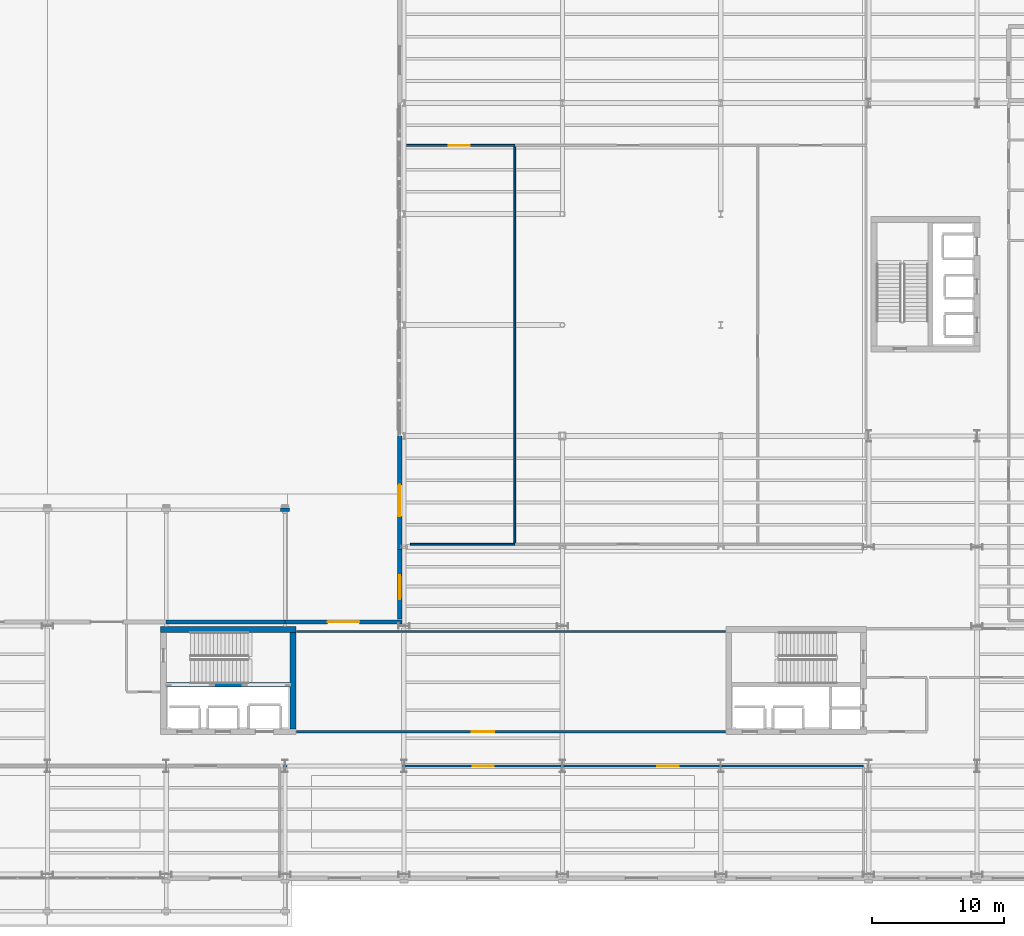
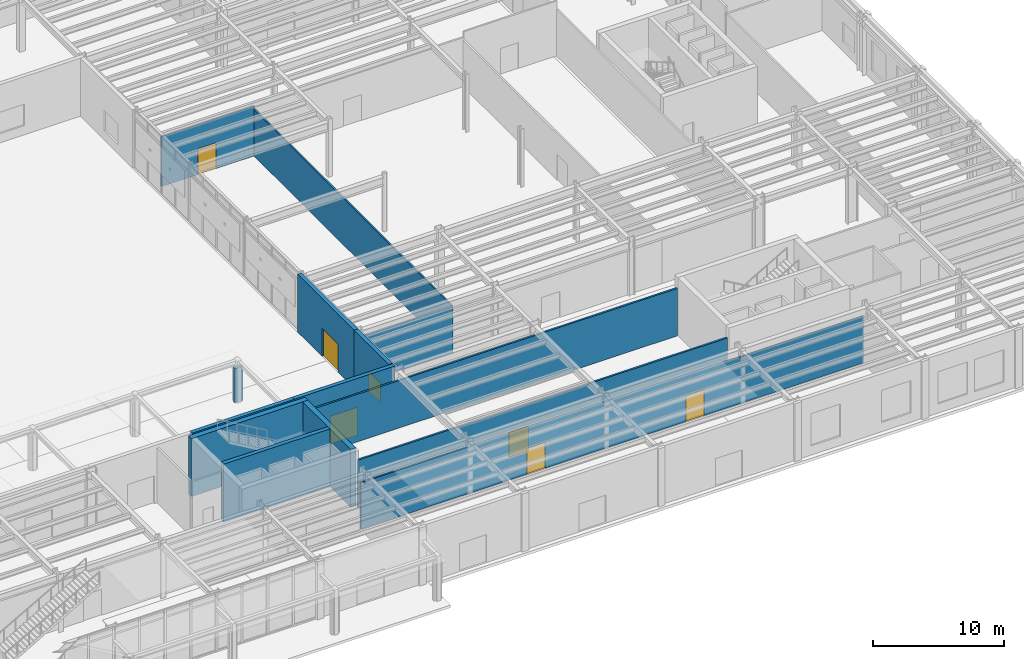
# One storey, part 74 of 94: 14 walls, 6 doors, 1 window, 7 openings.
"""IFC4 building model written with IfcOpenShell, lengths in metres."""

from ifc_helpers import new_model, si_unit, direction, frame, frame_2d, origin, place, context, subcontext, project, spatial, rectangle, extrude, material, layer, layer_set, type_object, element, fill, save


model = new_model("IFC4")

# Units and contexts
model_context = context("Model", 3, precision=1e-05, world=origin(), true_north=direction((0.0, 1.0)))
body_context = subcontext(model_context, "Body", "Model", "MODEL_VIEW")
ifc_project = project(units=[si_unit("LENGTHUNIT", "METRE"), si_unit("AREAUNIT", "SQUARE_METRE"), si_unit("VOLUMEUNIT", "CUBIC_METRE"), si_unit("PLANEANGLEUNIT", "RADIAN"), si_unit("MASSUNIT", "GRAM", prefix="KILO")], contexts=[model_context])

# Site, building, storey
site_placement = place(None, origin())
site = spatial("IfcSite", under=ifc_project, at=site_placement, CompositionType="ELEMENT")
building_placement = place(site_placement, origin())
building = spatial("IfcBuilding", under=site, at=building_placement, Name="Sollismere Congress Hotel", CompositionType="ELEMENT")
storey_placement = place(building_placement, origin())
storey = spatial("IfcBuildingStorey", under=building, at=storey_placement, Name="L00", CompositionType="ELEMENT", Elevation=0.0)

# Wall, opening, door
ifc_material_1 = material(Name="Colorado Buff Sandstone and Limestone Backup C40/50", Category="masonry")
ifc_layer_1 = layer(ifc_material_1, 0.340087890625, Name="Colorado Buff Sandstone and Limestone Backup C40/50")
ifc_layer_set_1 = layer_set([ifc_layer_1], Name="Colorado Buff Sandstone and Limestone Backup C40/50")
wall_type_1 = type_object("IfcWallType", Name="WL-EXT340", PredefinedType="STANDARD", material=ifc_layer_set_1)
wall_1_placement = place(storey_placement, frame((111.68994140625, 24.60009765625, 0.0), z_axis=(0.0, 0.0, 1.0), x_axis=(0.0, 1.0, 0.0)))
wall_1 = element("IfcWall", 1, at=wall_1_placement, inside=storey, type_object=wall_type_1, Name="Exterior wall EW-L00-200", PredefinedType="STANDARD", context=body_context, shape_type="SweptSolid", body=[
    extrude(rectangle(XDim=8.599853515625, YDim=0.340087890625, at=frame_2d((4.2998046875, 0.0))), origin(), (0.0, 0.0, 1.0), 5.39990234375),
])
opening_1_placement = place(wall_1_placement, frame((2.5, 0.0, 0.0)))
opening_1 = element("IfcOpeningElement", 2, at=opening_1_placement, cuts=wall_1, Name="Opening D-L00-E14", PredefinedType="OPENING", context=body_context, shape_type="SweptSolid", body=[
    extrude(rectangle(XDim=2.39990234375, YDim=2.60009765625, at=frame_2d((1.199951171875, 1.300048828125))), frame((0.0, 0.179931640625, 0.0), z_axis=(0.0, -1.0, 0.0), x_axis=(1.0, 0.0, 0.0)), (0.0, 0.0, 1.0), 0.360107421875),
])
ifc_material_2 = material(Name="Thermally Broken Bronze-Anodized Aluminum & Laminated Glass", Category="aluminium")
door_type_1 = type_object("IfcDoorType", Name="DR-EX240", OperationType="DOUBLE_DOOR_SINGLE_SWING", PredefinedType="DOOR", material=ifc_material_2)
door_1_placement = place(opening_1_placement, frame((2.39990234375, 0.0, 0.0), z_axis=(0.0, 0.0, 1.0), x_axis=(-1.0, 0.0, 0.0)))
door_1 = element("IfcDoor", 3, at=door_1_placement, inside=storey, type_object=door_type_1, Name="DOR-D-L00-E14", OperationType="DOUBLE_DOOR_SINGLE_SWING", OverallHeight=2.60009765625, OverallWidth=2.39990234375, PredefinedType="DOOR", context=body_context, shape_type="SweptSolid", body=[
    extrude(rectangle(XDim=2.39990234375, YDim=2.60009765625, at=frame_2d((1.199951171875, 1.300048828125))), frame((0.0, 0.02490234375, 0.0), z_axis=(0.0, -1.0, 0.0), x_axis=(1.0, 0.0, 0.0)), (0.0, 0.0, 1.0), 0.050048828125),
])
fill(opening_1, door_1)

# Wall, opening, window
wall_2_placement = place(storey_placement, frame((111.68994140625, 19.35009765625, 0.0), z_axis=(0.0, 0.0, 1.0), x_axis=(0.0, 1.0, 0.0)))
wall_2 = element("IfcWall", 4, at=wall_2_placement, inside=storey, type_object=wall_type_1, Name="Exterior wall EW-L00-202", PredefinedType="STANDARD", context=body_context, shape_type="SweptSolid", body=[
    extrude(rectangle(XDim=5.25, YDim=0.340087890625, at=frame_2d((2.625, 0.0))), origin(), (0.0, 0.0, 1.0), 5.39990234375),
])
opening_2_placement = place(wall_2_placement, frame((1.5, 0.0, 0.89990234375)))
opening_2 = element("IfcOpeningElement", 5, at=opening_2_placement, cuts=wall_2, Name="Opening W-L00-167", PredefinedType="OPENING", context=body_context, shape_type="SweptSolid", body=[
    extrude(rectangle(XDim=1.800048828125, YDim=1.800048828125, at=frame_2d((0.89990234375, 0.89990234375))), frame((0.0, 0.179931640625, 0.0), z_axis=(0.0, -1.0, 0.0), x_axis=(1.0, 0.0, 0.0)), (0.0, 0.0, 1.0), 0.360107421875),
])
ifc_material_3 = material(Name="Thermally Broken Bronze Aluminum & Low-E Glass", Category="aluminium")
window_type = type_object("IfcWindowType", Name="WN-P180x180", PartitioningType="SINGLE_PANEL", PredefinedType="WINDOW", material=ifc_material_3)
window_placement = place(opening_2_placement, origin())
window = element("IfcWindow", 6, at=window_placement, inside=storey, type_object=window_type, Name="WIN-W-L00-167", OverallHeight=1.800048828125, OverallWidth=1.800048828125, PartitioningType="SINGLE_PANEL", PredefinedType="WINDOW", context=body_context, shape_type="SweptSolid", body=[
    extrude(rectangle(XDim=1.800048828125, YDim=1.800048828125, at=frame_2d((0.89990234375, 0.89990234375))), frame((0.0, 0.030029296875, 0.0), z_axis=(0.0, -1.0, 0.0), x_axis=(1.0, 0.0, 0.0)), (0.0, 0.0, 1.0), 0.06005859375),
])
fill(opening_2, window)

# Wall
wall_3_placement = place(storey_placement, frame((103.0, 19.110107421875, 0.0), z_axis=(0.0, 0.0, 1.0), x_axis=(-1.0, 0.0, 0.0)))
element("IfcWall", 7, at=wall_3_placement, inside=storey, type_object=wall_type_1, Name="Exterior wall EW-L00-268", PredefinedType="STANDARD", context=body_context, shape_type="SweptSolid", body=[
    extrude(rectangle(XDim=9.0, YDim=0.340087890625, at=frame_2d((4.5, 0.0))), origin(), (0.0, 0.0, 1.0), 5.39990234375),
])

# Wall, opening, door
wall_4_placement = place(storey_placement, frame((111.85009765625, 19.110107421875, 0.0), z_axis=(0.0, 0.0, 1.0), x_axis=(-1.0, 0.0, 0.0)))
wall_4 = element("IfcWall", 8, at=wall_4_placement, inside=storey, type_object=wall_type_1, Name="Exterior wall EW-L00-269", PredefinedType="STANDARD", context=body_context, shape_type="SweptSolid", body=[
    extrude(rectangle(XDim=8.85009765625, YDim=0.340087890625, at=frame_2d((4.425048828125, 0.0))), origin(), (0.0, 0.0, 1.0), 5.39990234375),
])
opening_3_placement = place(wall_4_placement, frame((3.22509765625, 0.0, 0.0)))
opening_3 = element("IfcOpeningElement", 9, at=opening_3_placement, cuts=wall_4, Name="Opening D-L00-E29", PredefinedType="OPENING", context=body_context, shape_type="SweptSolid", body=[
    extrude(rectangle(XDim=2.39990234375, YDim=2.60009765625, at=frame_2d((1.199951171875, 1.300048828125))), frame((0.0, 0.179931640625, 0.0), z_axis=(0.0, -1.0, 0.0), x_axis=(1.0, 0.0, 0.0)), (0.0, 0.0, 1.0), 0.360107421875),
])
door_2_placement = place(opening_3_placement, origin())
door_2 = element("IfcDoor", 10, at=door_2_placement, inside=storey, type_object=door_type_1, Name="DOR-D-L00-E29", OperationType="DOUBLE_DOOR_SINGLE_SWING", OverallHeight=2.60009765625, OverallWidth=2.39990234375, PredefinedType="DOOR", context=body_context, shape_type="SweptSolid", body=[
    extrude(rectangle(XDim=2.39990234375, YDim=2.60009765625, at=frame_2d((1.199951171875, 1.300048828125))), frame((0.0, 0.02490234375, 0.0), z_axis=(0.0, -1.0, 0.0), x_axis=(1.0, 0.0, 0.0)), (0.0, 0.0, 1.0), 0.050048828125),
])
fill(opening_3, door_2)

# Wall
ifc_material_4 = material(Name="Carved Travertine Pilaster & Frieze Assembly", Category="masonry")
ifc_layer_2 = layer(ifc_material_4, 0.260009765625, Name="Carved Travertine Pilaster & Frieze Assembly")
ifc_layer_set_2 = layer_set([ifc_layer_2], Name="Carved Travertine Pilaster & Frieze Assembly")
wall_type_2 = type_object("IfcWallType", Name="WL-PIL280", PredefinedType="ELEMENTEDWALL", material=ifc_layer_set_2)
wall_5_placement = place(storey_placement, frame((102.659912109375, 27.60009765625, 0.0), z_axis=(0.0, 0.0, 1.0), x_axis=(1.0, 0.0, 0.0)))
element("IfcWall", 11, at=wall_5_placement, inside=storey, type_object=wall_type_2, Name="Exterior wall EW-L00-220", PredefinedType="ELEMENTEDWALL", context=body_context, shape_type="SweptSolid", body=[
    extrude(rectangle(XDim=0.68017578125, YDim=0.260009765625, at=frame_2d((0.340087890625, 0.0))), origin(), (0.0, 0.0, 1.0), 3.179931640625),
])

# Wall, openings, doors
ifc_material_5 = material(Name="Fire-Rated Gypsum Partition")
ifc_layer_3 = layer(ifc_material_5, 0.139892578125, Name="Fire-Rated Gypsum Partition")
ifc_layer_set_3 = layer_set([ifc_layer_3], Name="Fire-Rated Gypsum Partition")
wall_type_3 = type_object("IfcWallType", Name="WL-PRT140R", PredefinedType="PARTITIONING", material=ifc_layer_set_3)
wall_6_placement = place(storey_placement, frame((102.60009765625, 8.199951171875, 0.0), z_axis=(0.0, 0.0, 1.0), x_axis=(1.0, 0.0, 0.0)))
wall_6 = element("IfcWall", 12, at=wall_6_placement, inside=storey, type_object=wall_type_3, Name="Interior wall IW-L00-0778", PredefinedType="PARTITIONING", context=body_context, shape_type="SweptSolid", body=[
    extrude(rectangle(XDim=44.199951171875, YDim=0.139892578125, at=frame_2d((22.10009765625, 0.0))), origin(), (0.0, 0.0, 1.0), 4.327880859375),
])
opening_4_placement = place(wall_6_placement, frame((14.60009765625, 0.0, 0.0)))
opening_4 = element("IfcOpeningElement", 13, at=opening_4_placement, cuts=wall_6, Name="Opening D-L00-0262", PredefinedType="OPENING", context=body_context, shape_type="SweptSolid", body=[
    extrude(rectangle(XDim=1.60009765625, YDim=2.39990234375, at=frame_2d((0.800048828125, 1.199951171875))), frame((0.0, 0.079833984375, 0.0), z_axis=(0.0, -1.0, 0.0), x_axis=(1.0, 0.0, 0.0)), (0.0, 0.0, 1.0), 0.159912109375),
])
opening_5_placement = place(wall_6_placement, frame((28.60009765625, 0.0, 0.0)))
opening_5 = element("IfcOpeningElement", 14, at=opening_5_placement, cuts=wall_6, Name="Opening D-L00-0263", PredefinedType="OPENING", context=body_context, shape_type="SweptSolid", body=[
    extrude(rectangle(XDim=1.60009765625, YDim=2.39990234375, at=frame_2d((0.800048828125, 1.199951171875))), frame((0.0, 0.079833984375, 0.0), z_axis=(0.0, -1.0, 0.0), x_axis=(1.0, 0.0, 0.0)), (0.0, 0.0, 1.0), 0.159912109375),
])
ifc_material_6 = material(Name="Acoustic Oak Double Meeting Door")
door_type_2 = type_object("IfcDoorType", Name="DR-MT160", OperationType="NOTDEFINED", PredefinedType="DOOR", material=ifc_material_6)
door_3_placement = place(opening_4_placement, origin())
door_3 = element("IfcDoor", 15, at=door_3_placement, inside=storey, type_object=door_type_2, Name="Interior door D-L00-0262", OperationType="DOUBLE_DOOR_SINGLE_SWING", OverallHeight=2.39990234375, OverallWidth=1.60009765625, PredefinedType="DOOR", context=body_context, shape_type="SweptSolid", body=[
    extrude(rectangle(XDim=1.60009765625, YDim=2.39990234375, at=frame_2d((0.800048828125, 1.199951171875))), frame((0.0, 0.02490234375, 0.0), z_axis=(0.0, -1.0, 0.0), x_axis=(1.0, 0.0, 0.0)), (0.0, 0.0, 1.0), 0.050048828125),
])
fill(opening_4, door_3)
door_4_placement = place(opening_5_placement, origin())
door_4 = element("IfcDoor", 16, at=door_4_placement, inside=storey, type_object=door_type_2, Name="Interior door D-L00-0263", OperationType="DOUBLE_DOOR_SINGLE_SWING", OverallHeight=2.39990234375, OverallWidth=1.60009765625, PredefinedType="DOOR", context=body_context, shape_type="SweptSolid", body=[
    extrude(rectangle(XDim=1.60009765625, YDim=2.39990234375, at=frame_2d((0.800048828125, 1.199951171875))), frame((0.0, 0.02490234375, 0.0), z_axis=(0.0, -1.0, 0.0), x_axis=(1.0, 0.0, 0.0)), (0.0, 0.0, 1.0), 0.050048828125),
])
fill(opening_5, door_4)

# Wall
wall_7_placement = place(storey_placement, frame((112.5, 25.0, 0.0), z_axis=(0.0, 0.0, 1.0), x_axis=(1.0, 0.0, 0.0)))
element("IfcWall", 17, at=wall_7_placement, inside=storey, type_object=wall_type_3, Name="Interior wall IW-L00-0789", PredefinedType="PARTITIONING", context=body_context, shape_type="SweptSolid", body=[
    extrude(rectangle(XDim=7.89990234375, YDim=0.139892578125, at=frame_2d((3.949951171875, 0.0))), origin(), (0.0, 0.0, 1.0), 4.327880859375),
])

# Wall, opening, door
wall_8_placement = place(storey_placement, frame((112.199951171875, 55.199951171875, 0.0), z_axis=(0.0, 0.0, 1.0), x_axis=(1.0, 0.0, 0.0)))
wall_8 = element("IfcWall", 18, at=wall_8_placement, inside=storey, type_object=wall_type_3, Name="Interior wall IW-L00-0797", PredefinedType="PARTITIONING", context=body_context, shape_type="SweptSolid", body=[
    extrude(rectangle(XDim=8.199951171875, YDim=0.139892578125, at=frame_2d((4.10009765625, 0.0))), origin(), (0.0, 0.0, 1.0), 4.64794921875),
])
opening_6_placement = place(wall_8_placement, frame((3.199951171875, 0.0, 0.0)))
opening_6 = element("IfcOpeningElement", 19, at=opening_6_placement, cuts=wall_8, Name="Opening D-L00-0273", PredefinedType="OPENING", context=body_context, shape_type="SweptSolid", body=[
    extrude(rectangle(XDim=1.60009765625, YDim=2.39990234375, at=frame_2d((0.800048828125, 1.199951171875))), frame((0.0, 0.079833984375, 0.0), z_axis=(0.0, -1.0, 0.0), x_axis=(1.0, 0.0, 0.0)), (0.0, 0.0, 1.0), 0.159912109375),
])
door_5_placement = place(opening_6_placement, origin())
door_5 = element("IfcDoor", 20, at=door_5_placement, inside=storey, type_object=door_type_2, Name="Interior door D-L00-0273", OperationType="DOUBLE_DOOR_SINGLE_SWING", OverallHeight=2.39990234375, OverallWidth=1.60009765625, PredefinedType="DOOR", context=body_context, shape_type="SweptSolid", body=[
    extrude(rectangle(XDim=1.60009765625, YDim=2.39990234375, at=frame_2d((0.800048828125, 1.199951171875))), frame((0.0, 0.02490234375, 0.0), z_axis=(0.0, -1.0, 0.0), x_axis=(1.0, 0.0, 0.0)), (0.0, 0.0, 1.0), 0.050048828125),
])
fill(opening_6, door_5)

# Wall
wall_9_placement = place(storey_placement, frame((120.39990234375, 25.08203125, 0.0), z_axis=(0.0, 0.0, 1.0), x_axis=(0.0, 1.0, 0.0)))
element("IfcWall", 21, at=wall_9_placement, inside=storey, type_object=wall_type_3, Name="Interior wall IW-L00-0832", PredefinedType="PARTITIONING", context=body_context, shape_type="SweptSolid", body=[
    extrude(rectangle(XDim=30.035888671875, YDim=0.139892578125, at=frame_2d((15.01806640625, 0.0))), origin(), (0.0, 0.0, 1.0), 4.327880859375),
])

# Wall, opening, door
ifc_material_7 = material(Name="Fire-Rated Acoustic Gypsum Partition")
ifc_layer_4 = layer(ifc_material_7, 0.1650390625, Name="Fire-Rated Acoustic Gypsum Partition")
ifc_layer_set_4 = layer_set([ifc_layer_4], Name="Fire-Rated Acoustic Gypsum Partition")
wall_type_4 = type_object("IfcWallType", Name="WL-PRT165R", PredefinedType="PARTITIONING", material=ifc_layer_set_4)
wall_10_placement = place(storey_placement, frame((103.85009765625, 10.800048828125, 0.0), z_axis=(0.0, 0.0, 1.0), x_axis=(1.0, 0.0, 0.0)))
wall_10 = element("IfcWall", 22, at=wall_10_placement, inside=storey, type_object=wall_type_4, Name="Interior wall IW-L00-0779", PredefinedType="PARTITIONING", context=body_context, shape_type="SweptSolid", body=[
    extrude(rectangle(XDim=32.5, YDim=0.1650390625, at=frame_2d((16.25, 0.0))), origin(), (0.0, 0.0, 1.0), 4.4189453125),
])
opening_7_placement = place(wall_10_placement, frame((13.300048828125, 0.0, 0.0)))
opening_7 = element("IfcOpeningElement", 23, at=opening_7_placement, cuts=wall_10, Name="Opening D-L00-0264", PredefinedType="OPENING", context=body_context, shape_type="SweptSolid", body=[
    extrude(rectangle(XDim=1.699951171875, YDim=2.300048828125, at=frame_2d((0.85009765625, 1.14990234375))), frame((0.0, 0.092529296875, 0.0), z_axis=(0.0, -1.0, 0.0), x_axis=(1.0, 0.0, 0.0)), (0.0, 0.0, 1.0), 0.18505859375),
])
ifc_material_8 = material(Name="Stainless Double Banquet Kitchen Door")
door_type_3 = type_object("IfcDoorType", Name="DR-KT170", OperationType="NOTDEFINED", PredefinedType="DOOR", material=ifc_material_8)
door_6_placement = place(opening_7_placement, origin())
door_6 = element("IfcDoor", 24, at=door_6_placement, inside=storey, type_object=door_type_3, Name="Interior door D-L00-0264", OperationType="DOUBLE_DOOR_SINGLE_SWING", OverallHeight=2.300048828125, OverallWidth=1.699951171875, PredefinedType="DOOR", context=body_context, shape_type="SweptSolid", body=[
    extrude(rectangle(XDim=1.699951171875, YDim=2.300048828125, at=frame_2d((0.85009765625, 1.14990234375))), frame((0.0, 0.02490234375, 0.0), z_axis=(0.0, -1.0, 0.0), x_axis=(1.0, 0.0, 0.0)), (0.0, 0.0, 1.0), 0.050048828125),
])
fill(opening_7, door_6)

# Walls
wall_11_placement = place(storey_placement, frame((103.85009765625, 18.39990234375, 0.0), z_axis=(0.0, 0.0, 1.0), x_axis=(1.0, 0.0, 0.0)))
element("IfcWall", 25, at=wall_11_placement, inside=storey, type_object=wall_type_4, Name="Interior wall IW-L00-0783", PredefinedType="PARTITIONING", context=body_context, shape_type="SweptSolid", body=[
    extrude(rectangle(XDim=32.5, YDim=0.1650390625, at=frame_2d((16.25, 0.0))), origin(), (0.0, 0.0, 1.0), 4.4189453125),
])
ifc_material_9 = material(Name="Concrete C50/60", Category="concrete")
ifc_layer_5 = layer(ifc_material_9, 0.35009765625, Name="Concrete C50/60")
ifc_layer_set_5 = layer_set([ifc_layer_5], Name="Concrete C50/60")
wall_type_5 = type_object("IfcWallType", Name="WL-SHR350", PredefinedType="SHEAR", material=ifc_layer_set_5)
wall_12_placement = place(storey_placement, frame((94.02490234375, 14.35009765625, 0.0), z_axis=(0.0, 0.0, 1.0), x_axis=(1.0, 0.0, 0.0)))
element("IfcWall", 26, at=wall_12_placement, inside=storey, type_object=wall_type_5, Name="Interior wall IW-L00-0226", PredefinedType="SHEAR", context=body_context, shape_type="SweptSolid", body=[
    extrude(rectangle(XDim=9.35009765625, YDim=0.35009765625, at=frame_2d((4.675048828125, 0.0))), origin(), (0.0, 0.0, 1.0), 5.39990234375),
])
ifc_layer_6 = layer(ifc_material_9, 0.449951171875, Name="Concrete C50/60")
ifc_layer_set_6 = layer_set([ifc_layer_6], Name="Concrete C50/60")
wall_type_6 = type_object("IfcWallType", Name="WL-SHR450", PredefinedType="SHEAR", material=ifc_layer_set_6)
wall_13_placement = place(storey_placement, frame((103.824951171875, 18.550048828125, 0.0), z_axis=(0.0, 0.0, 1.0), x_axis=(-1.0, 0.0, 0.0)))
element("IfcWall", 27, at=wall_13_placement, inside=storey, type_object=wall_type_6, Name="Interior wall IW-L00-0223", PredefinedType="SHEAR", context=body_context, shape_type="SweptSolid", body=[
    extrude(rectangle(XDim=10.25, YDim=0.449951171875, at=frame_2d((5.125, 0.0))), origin(), (0.0, 0.0, 1.0), 5.39990234375),
])
wall_14_placement = place(storey_placement, frame((103.60009765625, 11.02490234375, 0.0), z_axis=(0.0, 0.0, 1.0), x_axis=(0.0, 1.0, 0.0)))
element("IfcWall", 28, at=wall_14_placement, inside=storey, type_object=wall_type_6, Name="Interior wall IW-L00-0225", PredefinedType="SHEAR", context=body_context, shape_type="SweptSolid", body=[
    extrude(rectangle(XDim=7.300048828125, YDim=0.449951171875, at=frame_2d((3.64990234375, 0.0))), origin(), (0.0, 0.0, 1.0), 5.39990234375),
])

save(model, "model.ifc")
